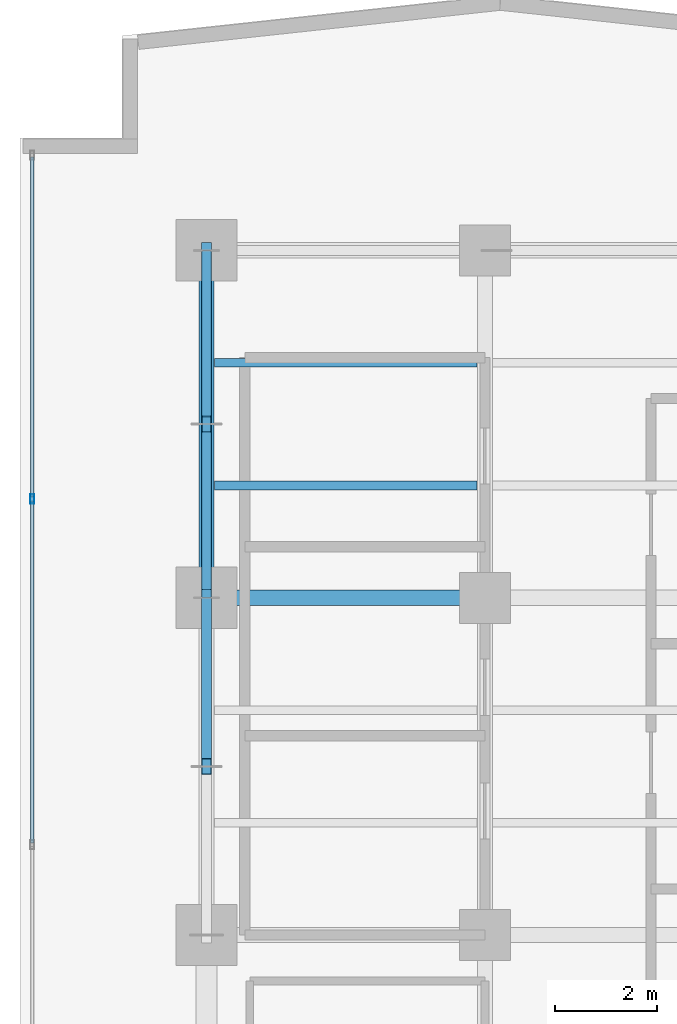
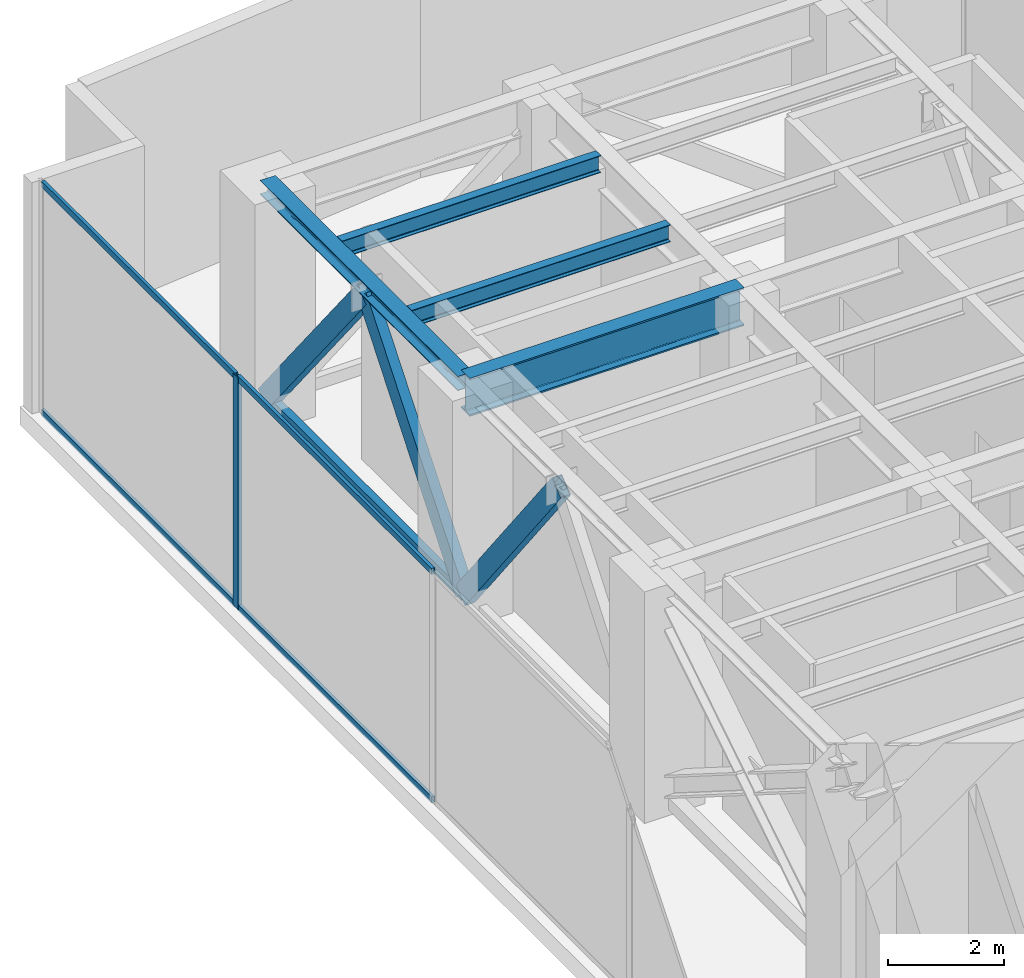
# One storey, part 22 of 36: 9 members, 4 beams, 1 element without a shape of its own.
"""IFC4 building model written with IfcOpenShell, lengths in metres."""

from ifc_helpers import new_model, si_unit, direction, frame, origin, origin_with_axes, origin_2d, place, context, subcontext, project, spatial, hollow_rectangle, i_section, extrude, source, transform, mapped, material, layer, layer_set, material_profile, profile_set, type_object, element, aggregate, save


model = new_model("IFC4")

# Units and contexts
model_context = context("Model", 3, precision=1e-05, world=origin(), true_north=direction((0.0, 1.0)))
body_context = subcontext(model_context, "Body", "Model", "MODEL_VIEW")
ifc_project = project(units=[si_unit("LENGTHUNIT", "METRE"), si_unit("AREAUNIT", "SQUARE_METRE"), si_unit("VOLUMEUNIT", "CUBIC_METRE"), si_unit("PLANEANGLEUNIT", "RADIAN"), si_unit("MASSUNIT", "GRAM", prefix="KILO")], contexts=[model_context])

# Site, building, storey
site_placement = place(None, origin())
site = spatial("IfcSite", under=ifc_project, at=site_placement, CompositionType="ELEMENT")
building_placement = place(site_placement, origin())
building = spatial("IfcBuilding", under=site, at=building_placement, Name="Kolvaren Waterfront Exchange", CompositionType="ELEMENT")
storey_placement = place(building_placement, frame((0.0, 0.0, 199.39990234375)))
storey = spatial("IfcBuildingStorey", under=building, at=storey_placement, Name="L51", CompositionType="ELEMENT", Elevation=199.39990234375)

# Beams
ifc_material_1 = material(Name="Steel S355", Category="steel")
ifc_material_profile_1 = material_profile(ifc_material_1, i_section(OverallWidth=0.300048828125, OverallDepth=0.300048828125, WebThickness=0.010986328125, FlangeThickness=0.01904296875, FilletRadius=0.027099609375, at=origin_2d()), Name="HEB300")
ifc_profile_set_1 = profile_set([ifc_material_profile_1], Name="Steel S355")
beam_type_1 = type_object("IfcBeamType", Name="STR-BM-HEB300", PredefinedType="SPANDREL", material=ifc_profile_set_1)
beam_1_placement = place(storey_placement, frame((7.449951171875, 37.800048828125, 4.710205078125), z_axis=(0.0, 1.0, 0.0), x_axis=(-1.0, 0.0, 0.0)))
element("IfcBeam", 1, at=beam_1_placement, inside=storey, type_object=beam_type_1, Name="L51 north-arm edge beam 3", PredefinedType="SPANDREL", context=body_context, shape_type="SweptSolid", body=[
    extrude(i_section(OverallWidth=0.300048828125, OverallDepth=0.300048828125, WebThickness=0.010986328125, FlangeThickness=0.01904296875, FilletRadius=0.027099609375, at=origin_2d()), origin(), (0.0, 0.0, 1.0), 6.800048828125),
])
ifc_material_profile_2 = material_profile(ifc_material_1, i_section(OverallWidth=0.300048828125, OverallDepth=0.800048828125, WebThickness=0.017578125, FlangeThickness=0.032958984375, FilletRadius=0.030029296875, at=origin_2d()), Name="HEB800")
ifc_profile_set_2 = profile_set([ifc_material_profile_2], Name="Steel S355")
beam_type_2 = type_object("IfcBeamType", Name="STR-BM-HEB800", PredefinedType="BEAM", material=ifc_profile_set_2)
beam_2_placement = place(storey_placement, frame((7.449951171875, 37.800048828125, 4.460205078125), z_axis=(1.0, 0.0, 0.0), x_axis=(0.0, 1.0, 0.0)))
element("IfcBeam", 2, at=beam_2_placement, inside=storey, type_object=beam_type_2, Name="L51 north-arm girder 3A", PredefinedType="BEAM", context=body_context, shape_type="SweptSolid", body=[
    extrude(i_section(OverallWidth=0.300048828125, OverallDepth=0.800048828125, WebThickness=0.017578125, FlangeThickness=0.032958984375, FilletRadius=0.030029296875, at=origin_2d()), origin(), (0.0, 0.0, 1.0), 5.449951171875),
])
ifc_material_profile_3 = material_profile(ifc_material_1, i_section(OverallWidth=0.169921875, OverallDepth=0.360107421875, WebThickness=0.008056640625, FlangeThickness=0.0126953125, FilletRadius=0.01806640625, at=origin_2d()), Name="IPE360")
ifc_profile_set_3 = profile_set([ifc_material_profile_3], Name="Steel S355")
beam_type_3 = type_object("IfcBeamType", Name="STR-BM-IPE360", PredefinedType="JOIST", material=ifc_profile_set_3)
for number, where, z_axis, x_axis, name in (
    (3, (7.60205078125, 40.0, 4.68017578125), (1.0, 0.0, 0.0), (0.0, 1.0, 0.0), "L51 north-arm composite joist 5A"),
    (4, (7.60205078125, 42.39990234375, 4.68017578125), (1.0, 0.0, 0.0), (0.0, 1.0, 0.0), "L51 north-arm composite joist 6A"),
):
    element("IfcBeam", number, at=place(storey_placement, frame(where, z_axis=z_axis, x_axis=x_axis)), inside=storey, type_object=beam_type_3, Name=name, PredefinedType="JOIST", context=body_context, shape_type="SweptSolid", body=[
        extrude(i_section(OverallWidth=0.169921875, OverallDepth=0.360107421875, WebThickness=0.008056640625, FlangeThickness=0.0126953125, FilletRadius=0.01806640625, at=origin_2d()), origin(), (0.0, 0.0, 1.0), 5.14599609375),
    ])

# Members
ifc_material_2 = material(Name="Steel S460", Category="steel")
ifc_material_profile_4 = material_profile(ifc_material_2, hollow_rectangle(XDim=0.14990234375, YDim=0.25, WallThickness=0.010009765625, at=origin_2d()), Name="RHS250x150x10")
ifc_profile_set_4 = profile_set([ifc_material_profile_4], Name="Steel S460")
member_type_1 = type_object("IfcMemberType", Name="STR-BR-RHS250", PredefinedType="CHORD", material=ifc_profile_set_4)
member_1_placement = place(storey_placement, frame((7.449951171875, 37.800048828125, 0.25), z_axis=(0.0, 1.0, 0.0), x_axis=(-1.0, 0.0, 0.0)))
element("IfcMember", 5, at=member_1_placement, inside=storey, type_object=member_type_1, Name="L51 belt-truss bottom chord BT5", PredefinedType="CHORD", context=body_context, shape_type="SweptSolid", body=[
    extrude(hollow_rectangle(XDim=0.14990234375, YDim=0.25, WallThickness=0.010009765625, at=origin_2d()), origin(), (0.0, 0.0, 1.0), 6.800048828125),
])
ifc_material_profile_5 = material_profile(ifc_material_2, hollow_rectangle(XDim=0.199951171875, YDim=0.39990234375, WallThickness=0.01611328125, at=origin_2d()), Name="RHS400x200x16")
ifc_profile_set_5 = profile_set([ifc_material_profile_5], Name="Steel S460")
member_type_2 = type_object("IfcMemberType", Name="STR-BR-RHS400", PredefinedType="BRACE", material=ifc_profile_set_5)
member_2_placement = place(storey_placement, frame((7.449951171875, 37.800048828125, 0.25), z_axis=(0.0, -0.612402527517, 0.790546105101), x_axis=(1.0, 0.0, 0.0)))
element("IfcMember", 6, at=member_2_placement, inside=storey, type_object=member_type_2, Name="L51 belt-truss chevron brace BT4R", PredefinedType="BRACE", context=body_context, shape_type="SweptSolid", body=[
    extrude(hollow_rectangle(XDim=0.199951171875, YDim=0.39990234375, WallThickness=0.01611328125, at=origin_2d()), origin(), (0.0, 0.0, 1.0), 5.388671875),
])
member_3_placement = place(storey_placement, frame((7.449951171875, 37.800048828125, 0.25), z_axis=(0.0, 0.62378784047, 0.781593711644), x_axis=(-1.0, 0.0, 0.0)))
element("IfcMember", 7, at=member_3_placement, inside=storey, type_object=member_type_2, Name="L51 belt-truss chevron brace BT5L", PredefinedType="BRACE", context=body_context, shape_type="SweptSolid", body=[
    extrude(hollow_rectangle(XDim=0.199951171875, YDim=0.39990234375, WallThickness=0.01611328125, at=origin_2d()), origin(), (0.0, 0.0, 1.0), 5.450439453125),
])
member_4_placement = place(storey_placement, frame((7.449951171875, 44.60009765625, 0.25), z_axis=(0.0, -0.623815202885, 0.78157187299), x_axis=(1.0, 0.0, 0.0)))
element("IfcMember", 8, at=member_4_placement, inside=storey, type_object=member_type_2, Name="L51 belt-truss chevron brace BT5R", PredefinedType="BRACE", context=body_context, shape_type="SweptSolid", body=[
    extrude(hollow_rectangle(XDim=0.199951171875, YDim=0.39990234375, WallThickness=0.01611328125, at=origin_2d()), origin(), (0.0, 0.0, 1.0), 5.45068359375),
])

# Curtain wall, members
ifc_material_3 = material(Name="Anodised dark bronze spandrel aluminium", Category="aluminium")
ifc_layer = layer(ifc_material_3, 0.219970703125, Name="Anodised dark bronze spandrel aluminium")
ifc_layer_set = layer_set([ifc_layer], Name="Anodised dark bronze spandrel aluminium")
curtain_wall_type = type_object("IfcCurtainWallType", Name="ARC-CW-SYS6", PredefinedType="USERDEFINED", material=ifc_layer_set)
curtain_wall_placement = place(storey_placement, origin())
curtain_wall = element("IfcCurtainWall", 9, at=curtain_wall_placement, inside=storey, type_object=curtain_wall_type, Name="L51 stick curtain wall CW6 (CW-L51-W)", ObjectType="STICK CURTAIN WALL", PredefinedType="USERDEFINED")
ifc_material_4 = material(Name="Anodised bronze aluminium 6063-T6", Category="aluminium")
ifc_material_profile_6 = material_profile(ifc_material_4, hollow_rectangle(XDim=0.074951171875, YDim=0.179931640625, WallThickness=0.00439453125, at=origin_2d()), Name="ALU-MUL-180x75x4.5")
ifc_profile_set_6 = profile_set([ifc_material_profile_6], Name="Anodised bronze aluminium 6063-T6")
member_type_3 = type_object("IfcMemberType", Name="ARC-CWM-180", PredefinedType="MULLION", material=ifc_profile_set_6)
shared_shape_1 = source(origin_with_axes(), body_context, "Body", "SweptSolid", [
    extrude(hollow_rectangle(XDim=0.074951171875, YDim=0.179931640625, WallThickness=0.00439453125, at=origin_2d()), origin(), (0.0, 0.0, 1.0), 4.860107421875),
])
member_5_placement = place(storey_placement, frame((4.0400390625, 39.7333984375, 0.0), z_axis=(0.0, 0.0, 1.0), x_axis=(-1.0, 0.0, 0.0)))
member_5 = element("IfcMember", 10, at=member_5_placement, type_object=member_type_3, Name="CW6 mullion 6", PredefinedType="MULLION", context=body_context, shape_type="MappedRepresentation", body=[
    mapped(shared_shape_1, transform((0.0, 0.0, 0.0), x_axis=(1.0, 0.0, 0.0), y_axis=(0.0, 1.0, 0.0), z_axis=(0.0, 0.0, 1.0), scale=1.0)),
])
ifc_material_profile_7 = material_profile(ifc_material_4, hollow_rectangle(XDim=0.06494140625, YDim=0.1298828125, WallThickness=0.00390625, at=origin_2d()), Name="ALU-TRN-130x65x4")
ifc_profile_set_7 = profile_set([ifc_material_profile_7], Name="Anodised bronze aluminium 6063-T6")
member_type_4 = type_object("IfcMemberType", Name="ARC-CWT-130", PredefinedType="USERDEFINED", material=ifc_profile_set_7)
shared_shape_2 = source(origin_with_axes(), body_context, "Body", "SweptSolid", [
    extrude(hollow_rectangle(XDim=0.06494140625, YDim=0.1298828125, WallThickness=0.00390625, at=origin_2d()), origin(), (0.0, 0.0, 1.0), 6.691650390625),
])
member_6_placement = place(storey_placement, frame((4.0400390625, 33.004150390625, 0.03271484375), z_axis=(0.0, 1.0, 0.0), x_axis=(-1.0, 0.0, 0.0)))
member_6 = element("IfcMember", 11, at=member_6_placement, type_object=member_type_4, Name="CW6 transom 5.1", ObjectType="TRANSOM", PredefinedType="USERDEFINED", context=body_context, shape_type="MappedRepresentation", body=[
    mapped(shared_shape_2, transform((0.0, 0.0, 0.0), x_axis=(1.0, 0.0, 0.0), y_axis=(0.0, 1.0, 0.0), z_axis=(0.0, 0.0, 1.0), scale=1.0)),
])
member_7_placement = place(storey_placement, frame((4.0400390625, 33.004150390625, 4.82763671875), z_axis=(0.0, 1.0, 0.0), x_axis=(-1.0, 0.0, 0.0)))
member_7 = element("IfcMember", 12, at=member_7_placement, type_object=member_type_4, Name="CW6 transom 5.2", ObjectType="TRANSOM", PredefinedType="USERDEFINED", context=body_context, shape_type="MappedRepresentation", body=[
    mapped(shared_shape_2, transform((0.0, 0.0, 0.0), x_axis=(1.0, 0.0, 0.0), y_axis=(0.0, 1.0, 0.0), z_axis=(0.0, 0.0, 1.0), scale=1.0)),
])
shared_shape_3 = source(origin_with_axes(), body_context, "Body", "SweptSolid", [
    extrude(hollow_rectangle(XDim=0.06494140625, YDim=0.1298828125, WallThickness=0.00390625, at=origin_2d()), origin(), (0.0, 0.0, 1.0), 6.654296875),
])
member_8_placement = place(storey_placement, frame((4.0400390625, 39.770751953125, 0.03271484375), z_axis=(0.0, 1.0, 0.0), x_axis=(-1.0, 0.0, 0.0)))
member_8 = element("IfcMember", 13, at=member_8_placement, type_object=member_type_4, Name="CW6 transom 6.1", ObjectType="TRANSOM", PredefinedType="USERDEFINED", context=body_context, shape_type="MappedRepresentation", body=[
    mapped(shared_shape_3, transform((0.0, 0.0, 0.0), x_axis=(1.0, 0.0, 0.0), y_axis=(0.0, 1.0, 0.0), z_axis=(0.0, 0.0, 1.0), scale=1.0)),
])
member_9_placement = place(storey_placement, frame((4.0400390625, 39.770751953125, 4.82763671875), z_axis=(0.0, 1.0, 0.0), x_axis=(-1.0, 0.0, 0.0)))
member_9 = element("IfcMember", 14, at=member_9_placement, type_object=member_type_4, Name="CW6 transom 6.2", ObjectType="TRANSOM", PredefinedType="USERDEFINED", context=body_context, shape_type="MappedRepresentation", body=[
    mapped(shared_shape_3, transform((0.0, 0.0, 0.0), x_axis=(1.0, 0.0, 0.0), y_axis=(0.0, 1.0, 0.0), z_axis=(0.0, 0.0, 1.0), scale=1.0)),
])
aggregate(curtain_wall, [member_5, member_6, member_7, member_8, member_9])

save(model, "model.ifc")
